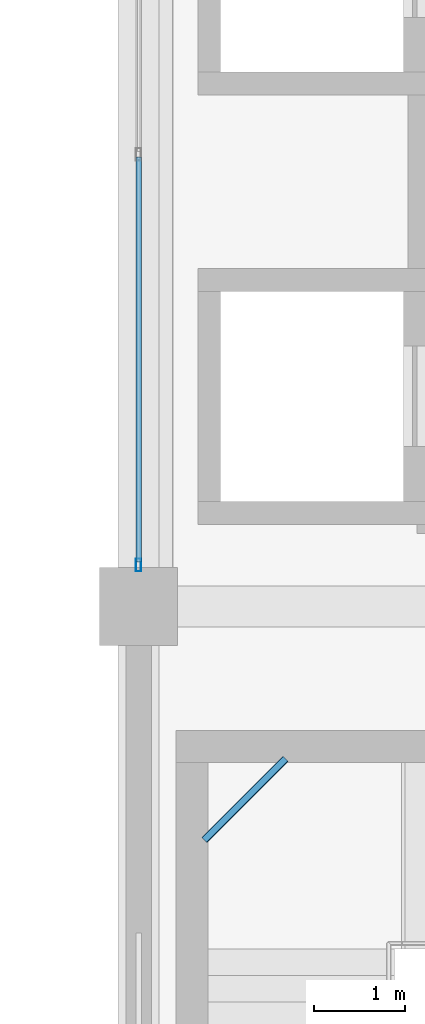
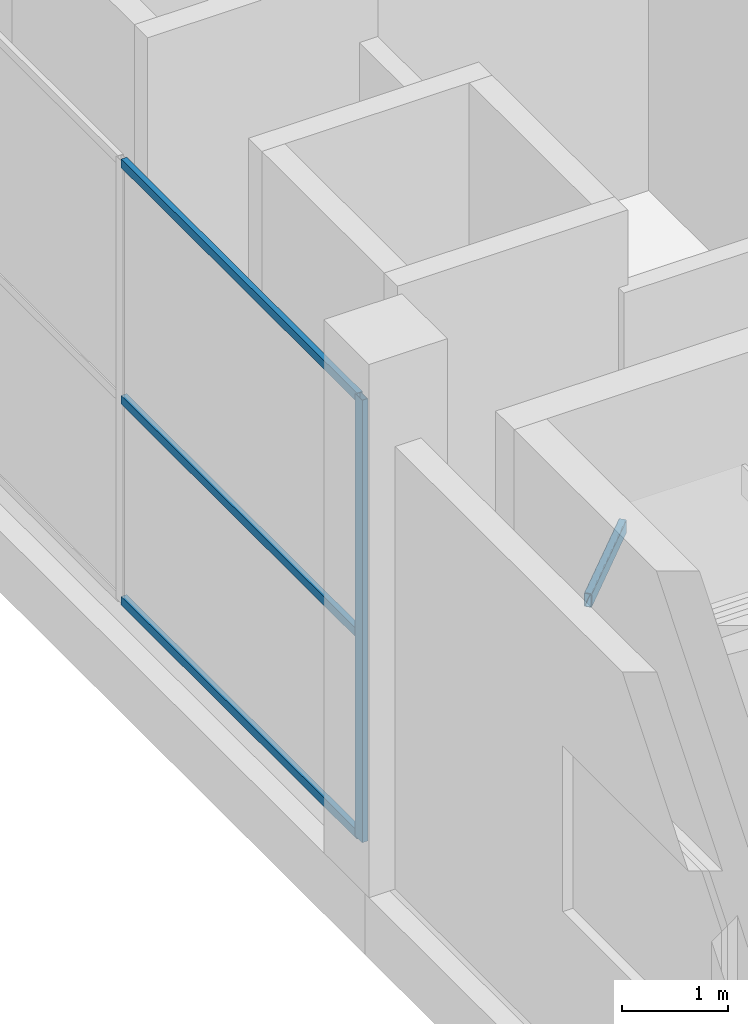
# One storey, part 2 of 46: 4 members, 1 beam, 1 element without a shape of its own.
"""IFC4 building model written with IfcOpenShell, lengths in metres."""

from ifc_helpers import new_model, si_unit, direction, frame, origin, origin_2d, place, context, subcontext, project, spatial, hollow_rectangle, extrude, material, layer, layer_set, material_profile, profile_set, type_object, element, aggregate, save


model = new_model("IFC4")

# Units and contexts
model_context = context("Model", 3, precision=1e-05, world=origin(), true_north=direction((0.0, 1.0)))
body_context = subcontext(model_context, "Body", "Model", "MODEL_VIEW")
ifc_project = project(units=[si_unit("LENGTHUNIT", "METRE"), si_unit("AREAUNIT", "SQUARE_METRE"), si_unit("VOLUMEUNIT", "CUBIC_METRE"), si_unit("PLANEANGLEUNIT", "RADIAN"), si_unit("MASSUNIT", "GRAM", prefix="KILO")], contexts=[model_context])

# Site, building, storey
site_placement = place(None, origin())
site = spatial("IfcSite", under=ifc_project, at=site_placement, CompositionType="ELEMENT")
building_placement = place(site_placement, origin())
building = spatial("IfcBuilding", under=site, at=building_placement, Name="Sillaruma Civic Art Gallery", CompositionType="ELEMENT")
storey_placement = place(building_placement, frame((0.0, 0.0, 16.320068359375)))
storey = spatial("IfcBuildingStorey", under=building, at=storey_placement, Name="L03", CompositionType="ELEMENT", Elevation=16.320068359375)

# Beam
ifc_material_1 = material(Name="Structural Steel ASTM A500 Gr.C", Category="steel")
ifc_material_profile_1 = material_profile(ifc_material_1, hollow_rectangle(XDim=0.080078125, YDim=0.159912109375, WallThickness=0.008056640625, InnerFilletRadius=0.008056640625, OuterFilletRadius=0.01611328125, at=origin_2d()), Name="HSS160x80x8")
ifc_profile_set_1 = profile_set([ifc_material_profile_1], Name="Structural Steel ASTM A500 Gr.C")
beam_type = type_object("IfcBeamType", Name="BM-LND-HSS160", PredefinedType="BEAM", material=ifc_profile_set_1)
beam_placement = place(storey_placement, frame((62.719970703125, 37.0400390625, 4.309814453125), z_axis=(0.707203758046, 0.707009791025, 0.0), x_axis=(-0.707009791025, 0.707203758046, 0.0)))
element("IfcBeam", 1, at=beam_placement, inside=storey, type_object=beam_type, Name="Stair Corner Landing Trimmer Beam (ST-03-L03-3)", PredefinedType="BEAM", context=body_context, shape_type="SweptSolid", body=[
    extrude(hollow_rectangle(XDim=0.080078125, YDim=0.159912109375, WallThickness=0.008056640625, InnerFilletRadius=0.008056640625, OuterFilletRadius=0.01611328125, at=origin_2d()), origin(), (0.0, 0.0, 1.0), 1.2587890625),
])

# Curtain wall, members
ifc_material_2 = material(Name="Thermally Broken Extruded Aluminium 6063-T6", Category="aluminium")
ifc_layer = layer(ifc_material_2, 0.139892578125, Name="Thermally Broken Extruded Aluminium 6063-T6")
ifc_layer_set = layer_set([ifc_layer], Name="Thermally Broken Extruded Aluminium 6063-T6")
curtain_wall_type = type_object("IfcCurtainWallType", Name="CW-UNI-19", PredefinedType="NOTDEFINED", material=ifc_layer_set)
curtain_wall_placement = place(storey_placement, origin())
curtain_wall = element("IfcCurtainWall", 2, at=curtain_wall_placement, inside=storey, type_object=curtain_wall_type, Name="Unitised Curtain Wall CW-19 (CW-L03-W-3)", PredefinedType="NOTDEFINED")
ifc_material_profile_2 = material_profile(ifc_material_2, hollow_rectangle(XDim=0.06005859375, YDim=0.139892578125, WallThickness=0.00341796875, at=origin_2d()), Name="CWM60x140")
ifc_profile_set_2 = profile_set([ifc_material_profile_2], Name="Thermally Broken Extruded Aluminium 6063-T6")
member_type_1 = type_object("IfcMemberType", Name="MEM-MUL-CWM60x140", PredefinedType="MULLION", material=ifc_profile_set_2)
member_1_placement = place(storey_placement, frame((62.0, 40.054931640625, 0.0), z_axis=(0.0, 0.0, 1.0), x_axis=(-1.0, 0.0, 0.0)))
member_1 = element("IfcMember", 3, at=member_1_placement, type_object=member_type_1, Name="CW-19 mullion 1", PredefinedType="MULLION", context=body_context, shape_type="SweptSolid", body=[
    extrude(hollow_rectangle(XDim=0.06005859375, YDim=0.139892578125, WallThickness=0.00341796875, at=origin_2d()), origin(), (0.0, 0.0, 1.0), 5.079833984375),
])
ifc_material_profile_3 = material_profile(ifc_material_2, hollow_rectangle(XDim=0.06005859375, YDim=0.10009765625, WallThickness=0.003173828125, at=origin_2d()), Name="CWT60x100")
ifc_profile_set_3 = profile_set([ifc_material_profile_3], Name="Thermally Broken Extruded Aluminium 6063-T6")
member_type_2 = type_object("IfcMemberType", Name="MEM-TRN-CWT60x100", PredefinedType="USERDEFINED", material=ifc_profile_set_3)
member_2_placement = place(storey_placement, frame((62.0, 40.0849609375, 0.030029296875), z_axis=(0.0, 1.0, 0.0), x_axis=(-1.0, 0.0, 0.0)))
member_2 = element("IfcMember", 4, at=member_2_placement, type_object=member_type_2, Name="CW-19 transom 1.1", ObjectType="TRANSOM", PredefinedType="USERDEFINED", context=body_context, shape_type="SweptSolid", body=[
    extrude(hollow_rectangle(XDim=0.06005859375, YDim=0.10009765625, WallThickness=0.003173828125, at=origin_2d()), origin(), (0.0, 0.0, 1.0), 4.43505859375),
])
member_3_placement = place(storey_placement, frame((62.0, 40.0849609375, 2.336669921875), z_axis=(0.0, 1.0, 0.0), x_axis=(-1.0, 0.0, 0.0)))
member_3 = element("IfcMember", 5, at=member_3_placement, type_object=member_type_2, Name="CW-19 transom 1.2", ObjectType="TRANSOM", PredefinedType="USERDEFINED", context=body_context, shape_type="SweptSolid", body=[
    extrude(hollow_rectangle(XDim=0.06005859375, YDim=0.10009765625, WallThickness=0.003173828125, at=origin_2d()), origin(), (0.0, 0.0, 1.0), 4.43505859375),
])
member_4_placement = place(storey_placement, frame((62.0, 40.0849609375, 5.050048828125), z_axis=(0.0, 1.0, 0.0), x_axis=(-1.0, 0.0, 0.0)))
member_4 = element("IfcMember", 6, at=member_4_placement, type_object=member_type_2, Name="CW-19 transom 1.3", ObjectType="TRANSOM", PredefinedType="USERDEFINED", context=body_context, shape_type="SweptSolid", body=[
    extrude(hollow_rectangle(XDim=0.06005859375, YDim=0.10009765625, WallThickness=0.003173828125, at=origin_2d()), origin(), (0.0, 0.0, 1.0), 4.43505859375),
])
aggregate(curtain_wall, [member_1, member_2, member_3, member_4])

save(model, "model.ifc")
